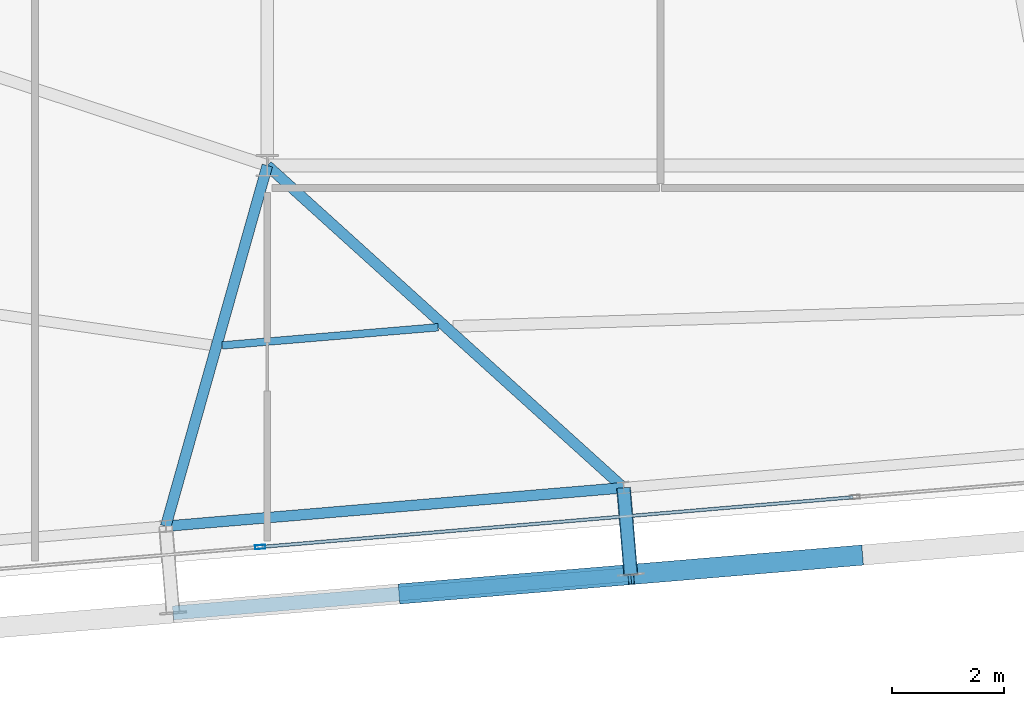
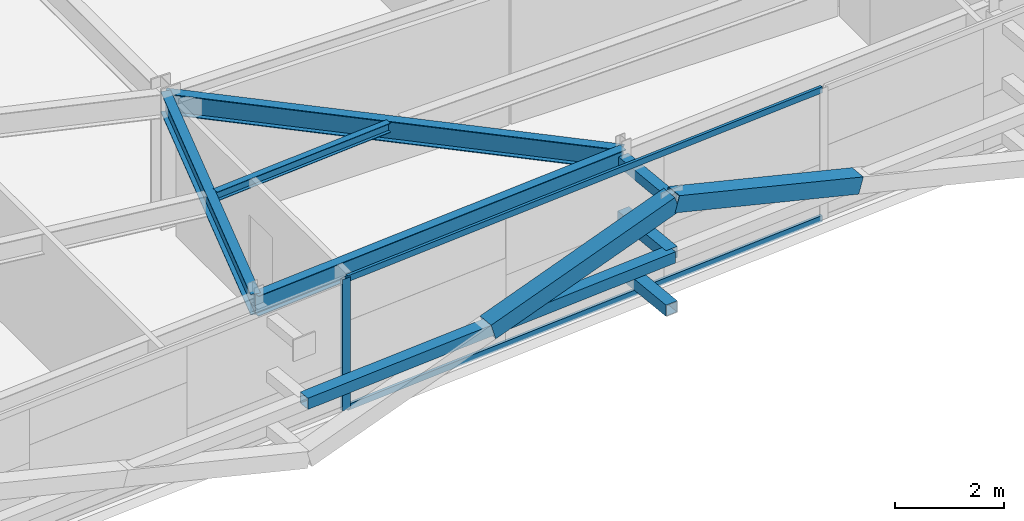
# One storey, part 9 of 37: 9 members, 4 beams, 1 element without a shape of its own.
"""IFC4 building model written with IfcOpenShell, lengths in metres."""

from ifc_helpers import new_model, si_unit, direction, frame, origin, origin_2d, place, context, subcontext, project, spatial, hollow_rectangle, i_section, extrude, source, transform, mapped, material, layer, layer_set, material_profile, profile_set, type_object, element, aggregate, save


model = new_model("IFC4")

# Units and contexts
model_context = context("Model", 3, precision=1e-05, world=origin(), true_north=direction((0.0, 1.0)))
body_context = subcontext(model_context, "Body", "Model", "MODEL_VIEW")
ifc_project = project(units=[si_unit("LENGTHUNIT", "METRE"), si_unit("AREAUNIT", "SQUARE_METRE"), si_unit("VOLUMEUNIT", "CUBIC_METRE"), si_unit("PLANEANGLEUNIT", "RADIAN"), si_unit("MASSUNIT", "GRAM", prefix="KILO")], contexts=[model_context])

# Site, building, storey
site_placement = place(None, origin())
site = spatial("IfcSite", under=ifc_project, at=site_placement, CompositionType="ELEMENT")
building_placement = place(site_placement, origin())
building = spatial("IfcBuilding", under=site, at=building_placement, Name="Taldren Reach Tower", CompositionType="ELEMENT")
storey_placement = place(building_placement, frame((0.0, 0.0, 200.89990234375)))
storey = spatial("IfcBuildingStorey", under=building, at=storey_placement, Name="L61", CompositionType="ELEMENT", Elevation=200.89990234375)

# Members
ifc_material_1 = material(Name="Steel Gr 350 (C350L0)", Category="steel")
ifc_material_profile_1 = material_profile(ifc_material_1, hollow_rectangle(XDim=0.25, YDim=0.25, WallThickness=0.010009765625, at=origin_2d()), Name="250x250x10.0SHS")
ifc_profile_set_1 = profile_set([ifc_material_profile_1], Name="Steel Gr 350 (C350L0)")
member_type_1 = type_object("IfcMemberType", Name="MB-POST250", PredefinedType="POST", material=ifc_profile_set_1)
shared_shape_1 = source(origin(), body_context, "Body", "SweptSolid", [
    extrude(hollow_rectangle(XDim=0.25, YDim=0.25, WallThickness=0.010009765625, at=origin_2d()), origin(), (0.0, 0.0, 1.0), 1.5498046875),
])
for number, where, z_axis, x_axis, name in (
    (1, (34.34228515625, 3.462890625, 0.22021484375), (0.083645141657, -0.996495604746, 0.0), (0.996495604746, 0.083645141657, 0.0), "Exoskeleton base diaphragm tie strut B4-S3 L61"),
    (2, (34.34228515625, 3.462890625, 1.43505859375), (0.083645141657, -0.996495604746, 0.0), (0.996495604746, 0.083645141657, 0.0), "Exoskeleton mid-tier diaphragm tie B4-S3 L61"),
):
    element("IfcMember", number, at=place(storey_placement, frame(where, z_axis=z_axis, x_axis=x_axis)), inside=storey, type_object=member_type_1, Name=name, PredefinedType="POST", context=body_context, shape_type="MappedRepresentation", body=[
        mapped(shared_shape_1, transform((0.0, 0.0, 0.0), scale=1.0)),
    ])

# Beams
ifc_material_2 = material(Name="Steel Gr 350 (350PLUS)", Category="steel")
ifc_material_profile_2 = material_profile(ifc_material_2, i_section(OverallWidth=0.18994140625, OverallDepth=0.4541015625, WebThickness=0.008544921875, FlangeThickness=0.0126953125, at=origin_2d()), Name="460UB67.1")
ifc_profile_set_2 = profile_set([ifc_material_profile_2], Name="Steel Gr 350 (350PLUS)")
beam_type_1 = type_object("IfcBeamType", Name="SP-UB460B", PredefinedType="SPANDREL", material=ifc_profile_set_2)
shared_shape_2 = source(origin(), body_context, "Body", "SweptSolid", [
    extrude(i_section(OverallWidth=0.18994140625, OverallDepth=0.4541015625, WebThickness=0.008544921875, FlangeThickness=0.0126953125, at=origin_2d()), origin(), (0.0, 0.0, 1.0), 8.179931640625),
])
beam_1_placement = place(storey_placement, frame((26.19091796875, 2.778564453125, 2.703125), z_axis=(0.996494523218, 0.083658025296, 0.0), x_axis=(-0.083658025296, 0.996494523218, 0.0)))
element("IfcBeam", 3, at=beam_1_placement, inside=storey, type_object=beam_type_1, Name="Perimeter spandrel B4 S2-S3 L61", PredefinedType="SPANDREL", context=body_context, shape_type="MappedRepresentation", body=[
    mapped(shared_shape_2, transform((0.0, 0.0, 0.0), scale=1.0)),
])
ifc_material_profile_3 = material_profile(ifc_material_2, i_section(OverallWidth=0.19091796875, OverallDepth=0.4599609375, WebThickness=0.010009765625, FlangeThickness=0.01611328125, at=origin_2d()), Name="460UB82.1")
ifc_profile_set_3 = profile_set([ifc_material_profile_3], Name="Steel Gr 350 (350PLUS)")
beam_type_2 = type_object("IfcBeamType", Name="BM-UB460A", PredefinedType="BEAM", material=ifc_profile_set_3)
shared_shape_3 = source(origin(), body_context, "Body", "SweptSolid", [
    extrude(i_section(OverallWidth=0.19091796875, OverallDepth=0.4599609375, WebThickness=0.010009765625, FlangeThickness=0.01611328125, at=origin_2d()), origin(), (0.0, 0.0, 1.0), 6.67138671875),
])
beam_2_placement = place(storey_placement, frame((28.0, 9.199951171875, 2.7001953125), z_axis=(-0.271171579948, -0.962531025073, 0.0), x_axis=(0.962531025073, -0.271171579948, 0.0)))
element("IfcBeam", 4, at=beam_2_placement, inside=storey, type_object=beam_type_2, Name="Primary floor girder B4-S2 L61", PredefinedType="BEAM", context=body_context, shape_type="MappedRepresentation", body=[
    mapped(shared_shape_3, transform((0.0, 0.0, 0.0), scale=1.0)),
])
shared_shape_4 = source(origin(), body_context, "Body", "SweptSolid", [
    extrude(i_section(OverallWidth=0.19091796875, OverallDepth=0.4599609375, WebThickness=0.010009765625, FlangeThickness=0.01611328125, at=origin_2d()), origin(), (0.0, 0.0, 1.0), 8.552001953125),
])
beam_3_placement = place(storey_placement, frame((28.0, 9.199951171875, 2.7001953125), z_axis=(0.741605435155, -0.670836327689, 0.0), x_axis=(0.670836327689, 0.741605435155, 0.0)))
element("IfcBeam", 5, at=beam_3_placement, inside=storey, type_object=beam_type_2, Name="Primary floor girder B4-S3 L61", PredefinedType="BEAM", context=body_context, shape_type="MappedRepresentation", body=[
    mapped(shared_shape_4, transform((0.0, 0.0, 0.0), scale=1.0)),
])
ifc_material_3 = material(Name="Steel Gr 300 (300PLUS, 300 MPa)", Category="steel")
ifc_material_profile_4 = material_profile(ifc_material_3, i_section(OverallWidth=0.134033203125, OverallDepth=0.20703125, WebThickness=0.00634765625, FlangeThickness=0.009521484375, at=origin_2d()), Name="200UB29.8")
ifc_profile_set_4 = profile_set([ifc_material_profile_4], Name="Steel Gr 300 (300PLUS, 300 MPa)")
beam_type_3 = type_object("IfcBeamType", Name="JS-UB200", PredefinedType="JOIST", material=ifc_profile_set_4)
shared_shape_5 = source(origin(), body_context, "Body", "SweptSolid", [
    extrude(i_section(OverallWidth=0.134033203125, OverallDepth=0.20703125, WebThickness=0.00634765625, FlangeThickness=0.009521484375, at=origin_2d()), origin(), (0.0, 0.0, 1.0), 3.857177734375),
])
beam_4_placement = place(storey_placement, frame((27.197021484375, 5.997802734375, 2.82666015625), z_axis=(0.996493179166, 0.083674033464, 0.0), x_axis=(-0.083674033464, 0.996493179166, 0.0)))
element("IfcBeam", 6, at=beam_4_placement, inside=storey, type_object=beam_type_3, Name="Secondary floor joist B4 J2 L61", PredefinedType="JOIST", context=body_context, shape_type="MappedRepresentation", body=[
    mapped(shared_shape_5, transform((0.0, 0.0, 0.0), scale=1.0)),
])

# Members
ifc_material_4 = material(Name="Steel Gr 450 (C450L0)", Category="steel")
ifc_material_profile_5 = material_profile(ifc_material_4, hollow_rectangle(XDim=0.219970703125, YDim=0.219970703125, WallThickness=0.00830078125, at=origin_2d()), Name="220x220x8.2SHS")
ifc_profile_set_5 = profile_set([ifc_material_profile_5], Name="Steel Gr 450 (C450L0)")
member_type_2 = type_object("IfcMemberType", Name="MB-TIE219", PredefinedType="STRUT", material=ifc_profile_set_5)
shared_shape_6 = source(origin(), body_context, "Body", "SweptSolid", [
    extrude(hollow_rectangle(XDim=0.219970703125, YDim=0.219970703125, WallThickness=0.00830078125, at=origin_2d()), origin(), (0.0, 0.0, 1.0), 1.5498046875),
])
member_1_placement = place(storey_placement, frame((34.34228515625, 3.462890625, 2.650146484375), z_axis=(0.083645141657, -0.996495604746, 0.0), x_axis=(0.996495604746, 0.083645141657, 0.0)))
element("IfcMember", 7, at=member_1_placement, inside=storey, type_object=member_type_2, Name="Exoskeleton diaphragm tie strut B4-S3 L61", PredefinedType="STRUT", context=body_context, shape_type="MappedRepresentation", body=[
    mapped(shared_shape_6, transform((0.0, 0.0, 0.0), scale=1.0)),
])
shared_shape_7 = source(origin(), body_context, "Body", "SweptSolid", [
    extrude(hollow_rectangle(XDim=0.25, YDim=0.25, WallThickness=0.010009765625, at=origin_2d()), origin(), (0.0, 0.0, 1.0), 8.18017578125),
])
member_2_placement = place(storey_placement, frame((26.320556640625, 1.23388671875, 1.43505859375), z_axis=(0.996492034688, 0.083687662192, 0.0), x_axis=(-0.083687662192, 0.996492034688, 0.0)))
element("IfcMember", 8, at=member_2_placement, inside=storey, type_object=member_type_1, Name="Exoskeleton mid-height ring chord B4-S2 L61", PredefinedType="POST", context=body_context, shape_type="MappedRepresentation", body=[
    mapped(shared_shape_7, transform((0.0, 0.0, 0.0), scale=1.0)),
])
ifc_material_profile_6 = material_profile(ifc_material_4, hollow_rectangle(XDim=0.360107421875, YDim=0.360107421875, WallThickness=0.0126953125, at=origin_2d()), Name="360x360x12.7SHS")
ifc_profile_set_6 = profile_set([ifc_material_profile_6], Name="Steel Gr 450 (C450L0)")
member_type_3 = type_object("IfcMemberType", Name="MB-EXO356", PredefinedType="BRACE", material=ifc_profile_set_6)
shared_shape_8 = source(origin(), body_context, "Body", "SweptSolid", [
    extrude(hollow_rectangle(XDim=0.360107421875, YDim=0.360107421875, WallThickness=0.0126953125, at=origin_2d()), origin(), (0.0, 0.0, 1.0), 4.2666015625),
])
for number, where, z_axis, x_axis, name in (
    (9, (30.396240234375, 1.576171875, 1.43505859375), (0.955229159097, 0.080222312271, 0.284783486572), (-0.083687662192, 0.996492034688, 0.0), "Exoskeleton Diagrid Brace B4-S2 L61"),
    (10, (38.547607421875, 2.2607421875, 1.43505859375), (-0.955229159097, -0.080222312271, 0.284783486572), (0.083687662192, -0.996492034688, 0.0), "Exoskeleton Diagrid Brace B4-S3 L61"),
):
    element("IfcMember", number, at=place(storey_placement, frame(where, z_axis=z_axis, x_axis=x_axis)), inside=storey, type_object=member_type_3, Name=name, PredefinedType="BRACE", context=body_context, shape_type="MappedRepresentation", body=[
        mapped(shared_shape_8, transform((0.0, 0.0, 0.0), scale=1.0)),
    ])

# Curtain wall, members
ifc_material_5 = material(Name="Aluminium and Low-E Glass Unitised System", Category="aluminium")
ifc_layer = layer(ifc_material_5, 0.159912109375)
ifc_layer_set = layer_set([ifc_layer], Name="Aluminium and Low-E Glass Unitised System")
curtain_wall_type = type_object("IfcCurtainWallType", Name="CW-SYS-5", PredefinedType="NOTDEFINED", material=ifc_layer_set)
curtain_wall_placement = place(storey_placement, origin())
curtain_wall = element("IfcCurtainWall", 11, at=curtain_wall_placement, inside=storey, type_object=curtain_wall_type, Name="Unitised curtain wall CW-L61-S", PredefinedType="NOTDEFINED")
ifc_material_6 = material(Name="Anodised Aluminium 6063-T6", Category="aluminium")
ifc_material_profile_7 = material_profile(ifc_material_6, hollow_rectangle(XDim=0.070068359375, YDim=0.179931640625, WallThickness=0.00390625, at=origin_2d()), Name="ALU-180x70x4RHS")
ifc_profile_set_7 = profile_set([ifc_material_profile_7], Name="Anodised Aluminium 6063-T6")
member_type_4 = type_object("IfcMemberType", Name="CW-MUL-180", PredefinedType="MULLION", material=ifc_profile_set_7)
shared_shape_9 = source(origin(), body_context, "Body", "SweptSolid", [
    extrude(hollow_rectangle(XDim=0.070068359375, YDim=0.179931640625, WallThickness=0.00390625, at=origin_2d()), origin(), (0.0, 0.0, 1.0), 2.93017578125),
])
member_3_placement = place(storey_placement, frame((27.872802734375, 2.407958984375, 0.0), z_axis=(0.0, 0.0, 1.0), x_axis=(-0.083677894865, 0.996492854922, 0.0)))
member_3 = element("IfcMember", 12, at=member_3_placement, type_object=member_type_4, Name="CW-5 mullion 2", PredefinedType="MULLION", context=body_context, shape_type="MappedRepresentation", body=[
    mapped(shared_shape_9, transform((0.0, 0.0, 0.0), scale=1.0)),
])
ifc_material_profile_8 = material_profile(ifc_material_6, hollow_rectangle(XDim=0.06005859375, YDim=0.135009765625, WallThickness=0.00341796875, at=origin_2d()), Name="ALU-135x60x3.5RHS")
ifc_profile_set_8 = profile_set([ifc_material_profile_8], Name="Anodised Aluminium 6063-T6")
member_type_5 = type_object("IfcMemberType", Name="CW-TRN-150", PredefinedType="USERDEFINED", material=ifc_profile_set_8)
shared_shape_10 = source(origin(), body_context, "Body", "SweptSolid", [
    extrude(hollow_rectangle(XDim=0.06005859375, YDim=0.135009765625, WallThickness=0.00341796875, at=origin_2d()), origin(), (0.0, 0.0, 1.0), 10.55517578125),
])
member_4_placement = place(storey_placement, frame((27.90771484375, 2.410888671875, 0.030029296875), z_axis=(0.996492274094, 0.083684811468, 0.0), x_axis=(-0.083684811468, 0.996492274094, 0.0)))
member_4 = element("IfcMember", 13, at=member_4_placement, type_object=member_type_5, Name="CW-5 transom 2.1", ObjectType="TRANSOM", PredefinedType="USERDEFINED", context=body_context, shape_type="MappedRepresentation", body=[
    mapped(shared_shape_10, transform((0.0, 0.0, 0.0), scale=1.0)),
])
member_5_placement = place(storey_placement, frame((27.90771484375, 2.410888671875, 2.900146484375), z_axis=(0.996492274094, 0.083684811468, 0.0), x_axis=(-0.083684811468, 0.996492274094, 0.0)))
member_5 = element("IfcMember", 14, at=member_5_placement, type_object=member_type_5, Name="CW-5 transom 2.2", ObjectType="TRANSOM", PredefinedType="USERDEFINED", context=body_context, shape_type="MappedRepresentation", body=[
    mapped(shared_shape_10, transform((0.0, 0.0, 0.0), scale=1.0)),
])
aggregate(curtain_wall, [member_3, member_4, member_5])

save(model, "model.ifc")
